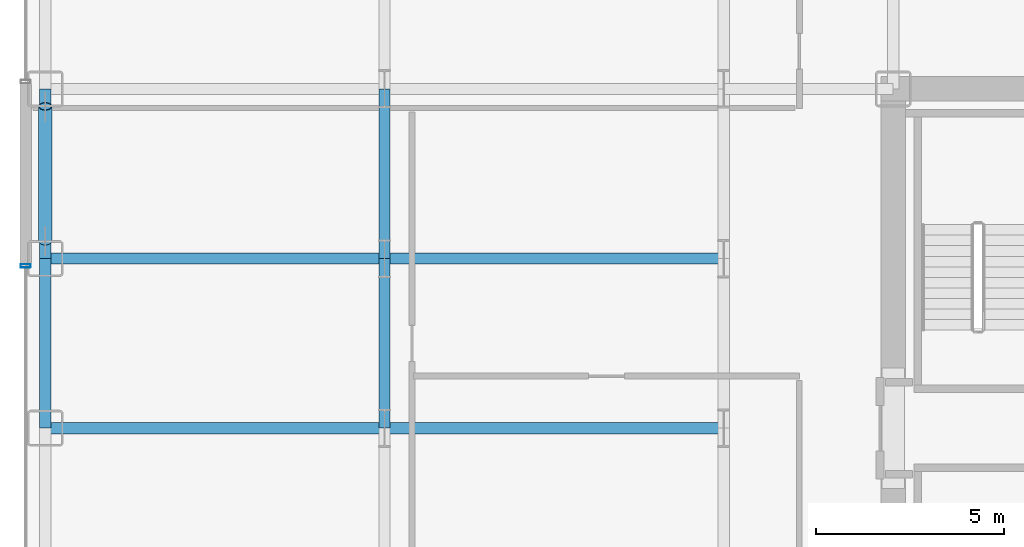
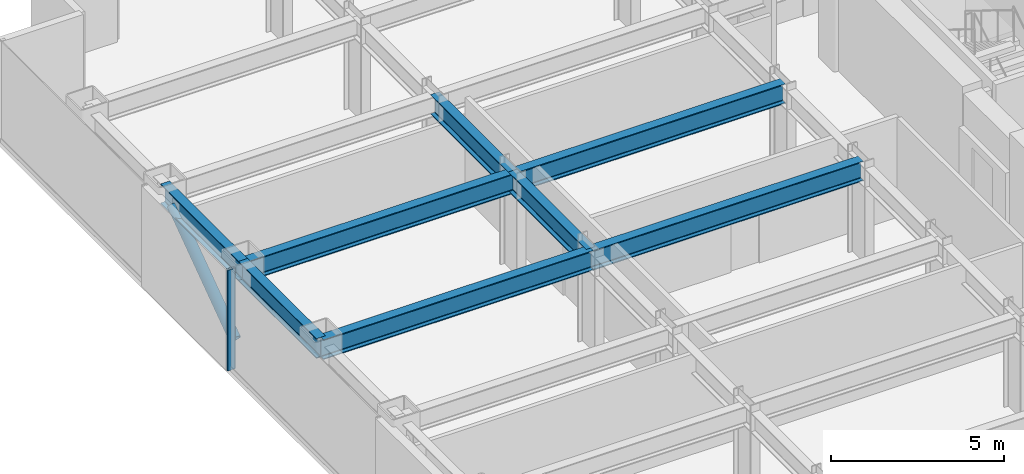
# One storey, part 6 of 29: 8 beams, 2 members, 1 element without a shape of its own.
"""IFC4 building model written with IfcOpenShell, lengths in metres."""

from ifc_helpers import new_model, si_unit, direction, frame, origin, origin_2d, place, context, subcontext, project, spatial, hollow_rectangle, hollow_circle, i_section, extrude, source, transform, mapped, material, layer, layer_set, material_profile, profile_set, type_object, element, aggregate, save


model = new_model("IFC4")

# Units and contexts
model_context = context("Model", 3, precision=1e-05, world=origin(), true_north=direction((0.0, 1.0)))
body_context = subcontext(model_context, "Body", "Model", "MODEL_VIEW")
ifc_project = project(units=[si_unit("LENGTHUNIT", "METRE"), si_unit("AREAUNIT", "SQUARE_METRE"), si_unit("VOLUMEUNIT", "CUBIC_METRE"), si_unit("PLANEANGLEUNIT", "RADIAN"), si_unit("MASSUNIT", "GRAM", prefix="KILO")], contexts=[model_context])

# Site, building, storey
site_placement = place(None, origin())
site = spatial("IfcSite", under=ifc_project, at=site_placement, CompositionType="ELEMENT")
building_placement = place(site_placement, origin())
building = spatial("IfcBuilding", under=site, at=building_placement, Name="Nefas-Gora Pilgrimage Tower", CompositionType="ELEMENT")
storey_placement = place(building_placement, frame((0.0, 0.0, 55.800048828125)))
storey = spatial("IfcBuildingStorey", under=building, at=storey_placement, Name="L12", CompositionType="ELEMENT", Elevation=55.800048828125)

# Beams
ifc_material_1 = material(Name="Steel S355", Category="steel")
ifc_material_profile_1 = material_profile(ifc_material_1, i_section(OverallWidth=0.300048828125, OverallDepth=0.699951171875, WebThickness=0.01708984375, FlangeThickness=0.031982421875, FilletRadius=0.027099609375, at=origin_2d()), Name="HEB 700")
ifc_profile_set_1 = profile_set([ifc_material_profile_1], Name="Steel S355")
beam_type_1 = type_object("IfcBeamType", Name="BM-SPN-HEB600", PredefinedType="SPANDREL", material=ifc_profile_set_1)
shared_shape_1 = source(origin(), body_context, "Body", "SweptSolid", [
    extrude(i_section(OverallWidth=0.300048828125, OverallDepth=0.699951171875, WebThickness=0.01708984375, FlangeThickness=0.031982421875, FilletRadius=0.027099609375, at=origin_2d()), origin(), (0.0, 0.0, 1.0), 4.5),
])
for number, where, z_axis, x_axis, name in (
    (1, (-33.75, 0.0, 3.199951171875), (0.0, 1.0, 0.0), (-1.0, 0.0, 0.0), "L12 SP-01 beam"),
    (2, (-33.75, 4.5, 3.199951171875), (0.0, 1.0, 0.0), (-1.0, 0.0, 0.0), "L12 SP-01 beam"),
):
    element("IfcBeam", number, at=place(storey_placement, frame(where, z_axis=z_axis, x_axis=x_axis)), inside=storey, type_object=beam_type_1, Name=name, PredefinedType="SPANDREL", context=body_context, shape_type="MappedRepresentation", body=[
        mapped(shared_shape_1, transform((0.0, 0.0, 0.0), x_axis=(1.0, 0.0, 0.0), y_axis=(0.0, 1.0, 0.0), z_axis=(0.0, 0.0, 1.0), scale=1.0)),
    ])
ifc_material_profile_2 = material_profile(ifc_material_1, i_section(OverallWidth=0.300048828125, OverallDepth=0.699951171875, WebThickness=0.01708984375, FlangeThickness=0.031982421875, FilletRadius=0.027099609375, at=origin_2d()), Name="HEB 700")
ifc_profile_set_2 = profile_set([ifc_material_profile_2], Name="Steel S355")
beam_type_2 = type_object("IfcBeamType", Name="BM-GIR-HEB700", PredefinedType="BEAM", material=ifc_profile_set_2)
shared_shape_2 = source(origin(), body_context, "Body", "SweptSolid", [
    extrude(i_section(OverallWidth=0.300048828125, OverallDepth=0.699951171875, WebThickness=0.01708984375, FlangeThickness=0.031982421875, FilletRadius=0.027099609375, at=origin_2d()), origin(), (0.0, 0.0, 1.0), 9.0),
])
for number, where, z_axis, x_axis, name in (
    (3, (-33.75, 0.0, 3.199951171875), (1.0, 0.0, 0.0), (0.0, 1.0, 0.0), "L12 G-02 beam"),
    (4, (-33.75, 4.5, 3.199951171875), (1.0, 0.0, 0.0), (0.0, 1.0, 0.0), "L12 G-02 beam"),
    (5, (-24.75, 0.0, 3.199951171875), (1.0, 0.0, 0.0), (0.0, 1.0, 0.0), "L12 G-02 beam"),
    (6, (-24.75, 4.5, 3.199951171875), (1.0, 0.0, 0.0), (0.0, 1.0, 0.0), "L12 G-02 beam"),
):
    element("IfcBeam", number, at=place(storey_placement, frame(where, z_axis=z_axis, x_axis=x_axis)), inside=storey, type_object=beam_type_2, Name=name, PredefinedType="BEAM", context=body_context, shape_type="MappedRepresentation", body=[
        mapped(shared_shape_2, transform((0.0, 0.0, 0.0), x_axis=(1.0, 0.0, 0.0), y_axis=(0.0, 1.0, 0.0), z_axis=(0.0, 0.0, 1.0), scale=1.0)),
    ])
shared_shape_3 = source(origin(), body_context, "Body", "SweptSolid", [
    extrude(i_section(OverallWidth=0.300048828125, OverallDepth=0.699951171875, WebThickness=0.01708984375, FlangeThickness=0.031982421875, FilletRadius=0.027099609375, at=origin_2d()), origin(), (0.0, 0.0, 1.0), 4.5),
])
for number, where, z_axis, x_axis, name in (
    (7, (-24.75, 0.0, 3.199951171875), (0.0, 1.0, 0.0), (-1.0, 0.0, 0.0), "L12 G-02 beam"),
    (8, (-24.75, 4.5, 3.199951171875), (0.0, 1.0, 0.0), (-1.0, 0.0, 0.0), "L12 G-02 beam"),
):
    element("IfcBeam", number, at=place(storey_placement, frame(where, z_axis=z_axis, x_axis=x_axis)), inside=storey, type_object=beam_type_2, Name=name, PredefinedType="BEAM", context=body_context, shape_type="MappedRepresentation", body=[
        mapped(shared_shape_3, transform((0.0, 0.0, 0.0), x_axis=(1.0, 0.0, 0.0), y_axis=(0.0, 1.0, 0.0), z_axis=(0.0, 0.0, 1.0), scale=1.0)),
    ])

# Member
ifc_material_2 = material(Name="Steel S460", Category="steel")
ifc_material_profile_3 = material_profile(ifc_material_2, hollow_circle(Radius=0.177734375, WallThickness=0.02001953125, at=origin_2d()), Name="CHS 355.6x20")
ifc_profile_set_3 = profile_set([ifc_material_profile_3], Name="Steel S460")
member_type_1 = type_object("IfcMemberType", Name="MEM-TUBE-356", PredefinedType="BRACE", material=ifc_profile_set_3)
shared_shape_4 = source(origin(), body_context, "Body", "SweptSolid", [
    extrude(hollow_circle(Radius=0.177734375, WallThickness=0.02001953125, at=origin_2d()), origin(), (0.0, 0.0, 1.0), 4.39501953125),
])
member_1_placement = place(storey_placement, frame((-33.75, 4.962890625, 0.481201171875), z_axis=(0.0, 0.813264026864, 0.581894855287), x_axis=(-1.0, 0.0, 0.0)))
element("IfcMember", 9, at=member_1_placement, inside=storey, type_object=member_type_1, Name="L12 Perimeter Tube Diagonal Brace W2", PredefinedType="BRACE", context=body_context, shape_type="MappedRepresentation", body=[
    mapped(shared_shape_4, transform((0.0, 0.0, 0.0), x_axis=(1.0, 0.0, 0.0), y_axis=(0.0, 1.0, 0.0), z_axis=(0.0, 0.0, 1.0), scale=1.0)),
])

# Curtain wall, member
ifc_material_3 = material(Name="Dark ceramic-fritted solar-control aluminium-glass curtain wall", Category="aluminium")
ifc_layer = layer(ifc_material_3, 0.219970703125)
ifc_layer_set = layer_set([ifc_layer], Name="Dark ceramic-fritted solar-control aluminium-glass curtain wall")
curtain_wall_type = type_object("IfcCurtainWallType", Name="CW-SYS-2", PredefinedType="NOTDEFINED", material=ifc_layer_set)
curtain_wall_placement = place(storey_placement, origin())
curtain_wall = element("IfcCurtainWall", 10, at=curtain_wall_placement, inside=storey, type_object=curtain_wall_type, Name="L12 Unitised Curtain Wall CW2", PredefinedType="NOTDEFINED")
ifc_material_4 = material(Name="Anodised architectural aluminium", Category="aluminium")
ifc_material_profile_4 = material_profile(ifc_material_4, hollow_rectangle(XDim=0.090087890625, YDim=0.260009765625, WallThickness=0.006103515625, InnerFilletRadius=0.006103515625, OuterFilletRadius=0.011962890625, at=origin_2d()), Name="ALU MULLION 90x260")
ifc_profile_set_4 = profile_set([ifc_material_profile_4], Name="Anodised architectural aluminium")
member_type_2 = type_object("IfcMemberType", Name="CWM-MUL-2", PredefinedType="MULLION", material=ifc_profile_set_4)
shared_shape_5 = source(origin(), body_context, "Body", "SweptSolid", [
    extrude(hollow_rectangle(XDim=0.090087890625, YDim=0.260009765625, WallThickness=0.006103515625, InnerFilletRadius=0.006103515625, OuterFilletRadius=0.011962890625, at=origin_2d()), origin(), (0.0, 0.0, 1.0), 3.550048828125),
])
member_2_placement = place(storey_placement, frame((-34.27001953125, 4.304931640625, 0.0), z_axis=(0.0, 0.0, 1.0), x_axis=(0.0, -1.0, 0.0)))
member_2 = element("IfcMember", 11, at=member_2_placement, type_object=member_type_2, Name="CW2 Mullion 1", PredefinedType="MULLION", context=body_context, shape_type="MappedRepresentation", body=[
    mapped(shared_shape_5, transform((0.0, 0.0, 0.0), x_axis=(1.0, 0.0, 0.0), y_axis=(0.0, 1.0, 0.0), z_axis=(0.0, 0.0, 1.0), scale=1.0)),
])
aggregate(curtain_wall, [member_2])

save(model, "model.ifc")
